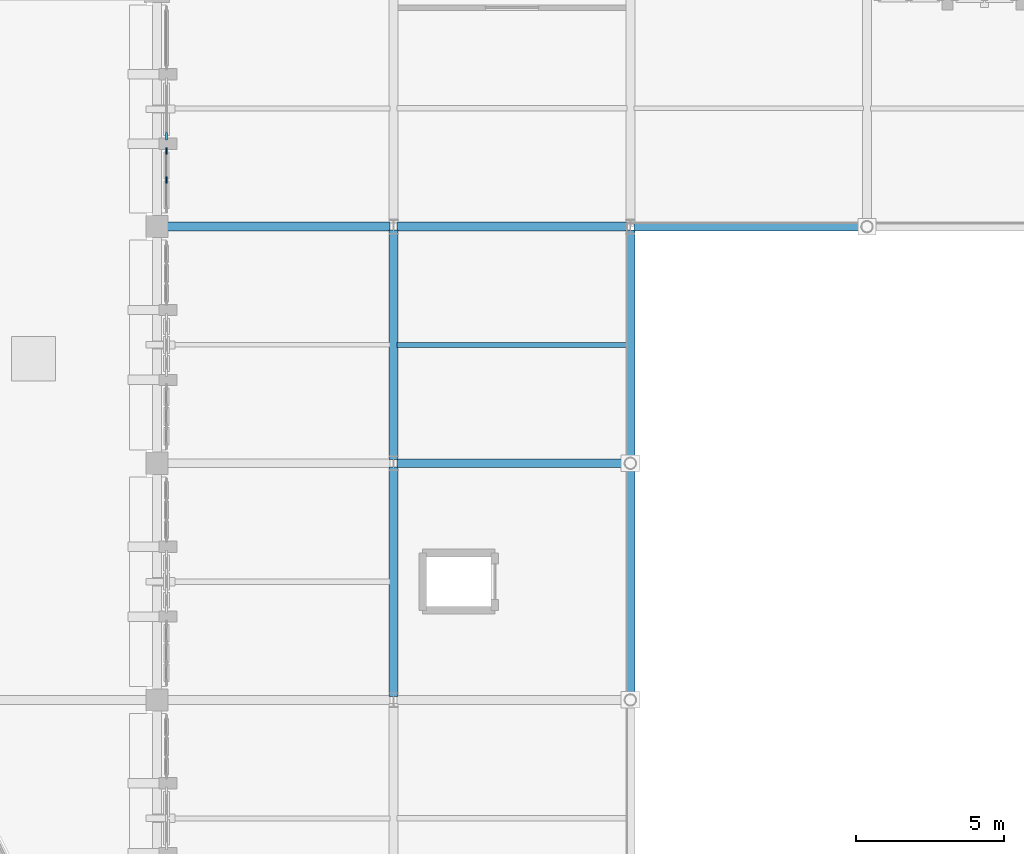
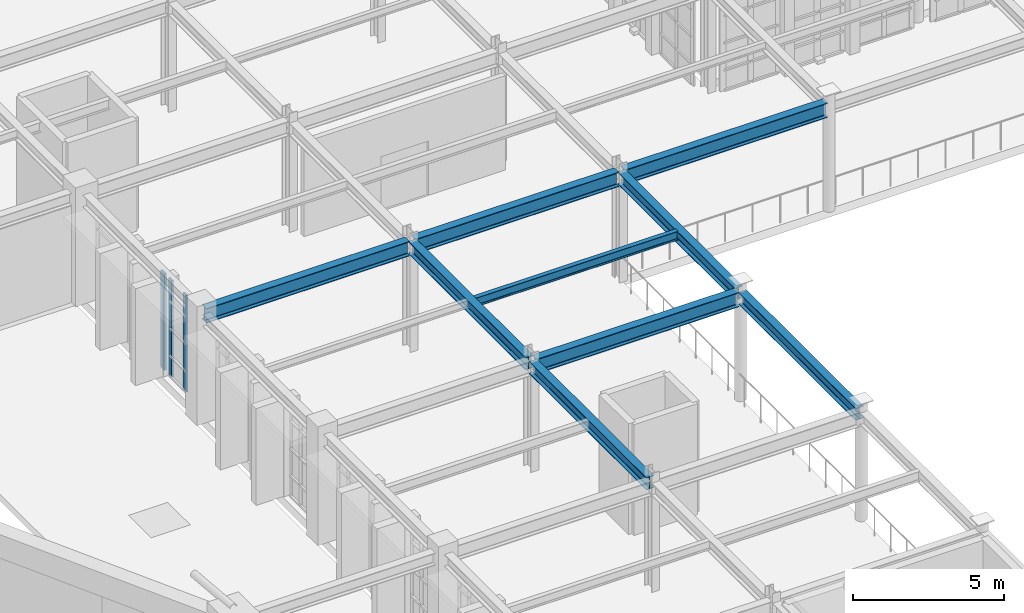
# One storey, part 40 of 155: 9 beams, 3 members, 2 elements without a shape of their own.
"""IFC4 building model written with IfcOpenShell, lengths in metres."""

from ifc_helpers import new_model, si_unit, direction, frame, origin, origin_2d, place, context, subcontext, project, spatial, rectangle, i_section, extrude, material, layer, layer_set, material_profile, profile_set, type_object, element, aggregate, save


model = new_model("IFC4")

# Units and contexts
model_context = context("Model", 3, precision=1e-05, world=origin(), true_north=direction((0.0, 1.0)))
body_context = subcontext(model_context, "Body", "Model", "MODEL_VIEW")
ifc_project = project(units=[si_unit("LENGTHUNIT", "METRE"), si_unit("AREAUNIT", "SQUARE_METRE"), si_unit("VOLUMEUNIT", "CUBIC_METRE"), si_unit("PLANEANGLEUNIT", "RADIAN"), si_unit("MASSUNIT", "GRAM", prefix="KILO")], contexts=[model_context])

# Site, building, storey
site_placement = place(None, origin())
site = spatial("IfcSite", under=ifc_project, at=site_placement, CompositionType="ELEMENT")
building_placement = place(site_placement, origin())
building = spatial("IfcBuilding", under=site, at=building_placement, Name="Tazarka Park Arena", CompositionType="ELEMENT")
storey_placement = place(building_placement, frame((0.0, 0.0, 5.39990234375)))
storey = spatial("IfcBuildingStorey", under=building, at=storey_placement, Name="L01", CompositionType="ELEMENT", Elevation=5.39990234375)

# Beams
ifc_material_1 = material(Name="Steel S355", Category="steel")
ifc_material_profile_1 = material_profile(ifc_material_1, i_section(OverallWidth=0.300048828125, OverallDepth=0.590087890625, WebThickness=0.012939453125, FlangeThickness=0.02490234375, FilletRadius=0.027099609375, at=origin_2d()), Name="Steel S355")
ifc_profile_set_1 = profile_set([ifc_material_profile_1], Name="Steel S355")
beam_type_1 = type_object("IfcBeamType", Name="BM-B-07", PredefinedType="BEAM", material=ifc_profile_set_1)
for number, where, z_axis, x_axis, name in (
    (1, (136.1201171875, 96.0, 4.125), (1.0, 0.0, 0.0), (0.0, 1.0, 0.0), "GXM-L01-17-12"),
    (2, (144.1201171875, 88.0, 4.125), (1.0, 0.0, 0.0), (0.0, 1.0, 0.0), "GXM-L01-18-11"),
    (3, (144.1201171875, 96.0, 4.125), (1.0, 0.0, 0.0), (0.0, 1.0, 0.0), "GXM-L01-18-12"),
    (4, (152.1201171875, 96.0, 4.125), (1.0, 0.0, 0.0), (0.0, 1.0, 0.0), "GXM-L01-19-12"),
):
    element("IfcBeam", number, at=place(storey_placement, frame(where, z_axis=z_axis, x_axis=x_axis)), inside=storey, type_object=beam_type_1, Name=name, PredefinedType="BEAM", context=body_context, shape_type="SweptSolid", body=[
        extrude(i_section(OverallWidth=0.300048828125, OverallDepth=0.590087890625, WebThickness=0.012939453125, FlangeThickness=0.02490234375, FilletRadius=0.027099609375, at=origin_2d()), origin(), (0.0, 0.0, 1.0), 7.759765625),
    ])
ifc_material_2 = material(Name="Steel S355", Category="steel")
ifc_material_profile_2 = material_profile(ifc_material_2, i_section(OverallWidth=0.300048828125, OverallDepth=0.5, WebThickness=0.014404296875, FlangeThickness=0.028076171875, FilletRadius=0.027099609375, at=origin_2d()), Name="Steel S355")
ifc_profile_set_2 = profile_set([ifc_material_profile_2], Name="Steel S355")
beam_type_2 = type_object("IfcBeamType", Name="BM-B-08", PredefinedType="BEAM", material=ifc_profile_set_2)
for number, where, z_axis, x_axis, name in (
    (5, (144.0, 80.1201171875, 4.170166015625), (0.0, 1.0, 0.0), (-1.0, 0.0, 0.0), "GYM-L01-18-10"),
    (6, (144.0, 88.1201171875, 4.170166015625), (0.0, 1.0, 0.0), (-1.0, 0.0, 0.0), "GYM-L01-18-11"),
):
    element("IfcBeam", number, at=place(storey_placement, frame(where, z_axis=z_axis, x_axis=x_axis)), inside=storey, type_object=beam_type_2, Name=name, PredefinedType="BEAM", context=body_context, shape_type="SweptSolid", body=[
        extrude(i_section(OverallWidth=0.300048828125, OverallDepth=0.5, WebThickness=0.014404296875, FlangeThickness=0.028076171875, FilletRadius=0.027099609375, at=origin_2d()), origin(), (0.0, 0.0, 1.0), 7.759765625),
    ])
ifc_material_3 = material(Name="Steel S355", Category="steel")
ifc_material_profile_3 = material_profile(ifc_material_3, i_section(OverallWidth=0.169921875, OverallDepth=0.360107421875, WebThickness=0.008056640625, FlangeThickness=0.0126953125, FilletRadius=0.01806640625, at=origin_2d()), Name="Steel S355")
ifc_profile_set_3 = profile_set([ifc_material_profile_3], Name="Steel S355")
beam_type_3 = type_object("IfcBeamType", Name="BM-J-02", PredefinedType="JOIST", material=ifc_profile_set_3)
beam_placement = place(storey_placement, frame((144.1201171875, 92.0, 4.239990234375), z_axis=(1.0, 0.0, 0.0), x_axis=(0.0, 1.0, 0.0)))
element("IfcBeam", 7, at=beam_placement, inside=storey, type_object=beam_type_3, Name="JST-L01-18-11", PredefinedType="JOIST", context=body_context, shape_type="SweptSolid", body=[
    extrude(i_section(OverallWidth=0.169921875, OverallDepth=0.360107421875, WebThickness=0.008056640625, FlangeThickness=0.0126953125, FilletRadius=0.01806640625, at=origin_2d()), origin(), (0.0, 0.0, 1.0), 7.759765625),
])
ifc_material_4 = material(Name="Steel S355", Category="steel")
ifc_material_profile_4 = material_profile(ifc_material_4, i_section(OverallWidth=0.300048828125, OverallDepth=0.489990234375, WebThickness=0.011962890625, FlangeThickness=0.02294921875, FilletRadius=0.027099609375, at=origin_2d()), Name="Steel S355")
ifc_profile_set_4 = profile_set([ifc_material_profile_4], Name="Steel S355")
beam_type_4 = type_object("IfcBeamType", Name="BM-SP-02", PredefinedType="SPANDREL", material=ifc_profile_set_4)
for number, where, z_axis, x_axis, name in (
    (8, (152.0, 80.1201171875, 4.175048828125), (0.0, 1.0, 0.0), (-1.0, 0.0, 0.0), "GYM-L01-19-10"),
    (9, (152.0, 88.1201171875, 4.175048828125), (0.0, 1.0, 0.0), (-1.0, 0.0, 0.0), "GYM-L01-19-11"),
):
    element("IfcBeam", number, at=place(storey_placement, frame(where, z_axis=z_axis, x_axis=x_axis)), inside=storey, type_object=beam_type_4, Name=name, PredefinedType="SPANDREL", context=body_context, shape_type="SweptSolid", body=[
        extrude(i_section(OverallWidth=0.300048828125, OverallDepth=0.489990234375, WebThickness=0.011962890625, FlangeThickness=0.02294921875, FilletRadius=0.027099609375, at=origin_2d()), origin(), (0.0, 0.0, 1.0), 7.759765625),
    ])

# Curtain wall, members
ifc_material_5 = material(Name="Aluminium and low-e glass", Category="aluminium")
ifc_layer_1 = layer(ifc_material_5, 0.179931640625, Name="Aluminium and low-e glass")
ifc_layer_set_1 = layer_set([ifc_layer_1], Name="Aluminium and low-e glass")
curtain_wall_type_1 = type_object("IfcCurtainWallType", Name="CW-28", PredefinedType="NOTDEFINED", material=ifc_layer_set_1)
curtain_wall_1_placement = place(storey_placement, origin())
curtain_wall_1 = element("IfcCurtainWall", 10, at=curtain_wall_1_placement, inside=storey, type_object=curtain_wall_type_1, Name="Curtain Wall CWA-L01-148", PredefinedType="NOTDEFINED")
ifc_material_6 = material(Name="Aluminium 6060-T66", Category="aluminium")
ifc_material_profile_5 = material_profile(ifc_material_6, rectangle(XDim=0.06494140625, YDim=0.219970703125, at=origin_2d()), Name="Aluminium 6060-T66")
ifc_profile_set_5 = profile_set([ifc_material_profile_5], Name="Aluminium 6060-T66")
member_type_1 = type_object("IfcMemberType", Name="CWM-02", PredefinedType="MULLION", material=ifc_profile_set_5)
member_1_placement = place(storey_placement, frame((136.320068359375, 97.5732421875, 0.0), z_axis=(0.0, 0.0, 1.0), x_axis=(-1.0, 0.0, 0.0)))
member_1 = element("IfcMember", 11, at=member_1_placement, type_object=member_type_1, Name="CW-28 mullion 2", PredefinedType="MULLION", context=body_context, shape_type="SweptSolid", body=[
    extrude(rectangle(XDim=0.06494140625, YDim=0.219970703125, at=origin_2d()), origin(), (0.0, 0.0, 1.0), 3.91015625),
])
member_2_placement = place(storey_placement, frame((136.320068359375, 98.55908203125, 0.0), z_axis=(0.0, 0.0, 1.0), x_axis=(-1.0, 0.0, 0.0)))
member_2 = element("IfcMember", 12, at=member_2_placement, type_object=member_type_1, Name="CW-28 mullion 3", PredefinedType="MULLION", context=body_context, shape_type="SweptSolid", body=[
    extrude(rectangle(XDim=0.06494140625, YDim=0.219970703125, at=origin_2d()), origin(), (0.0, 0.0, 1.0), 3.91015625),
])
aggregate(curtain_wall_1, [member_1, member_2])

# Curtain wall, member
ifc_material_7 = material(Name="Aluminium and low-e glass", Category="aluminium")
ifc_layer_2 = layer(ifc_material_7, 0.179931640625, Name="Aluminium and low-e glass")
ifc_layer_set_2 = layer_set([ifc_layer_2], Name="Aluminium and low-e glass")
curtain_wall_type_2 = type_object("IfcCurtainWallType", Name="CW-29", PredefinedType="NOTDEFINED", material=ifc_layer_set_2)
curtain_wall_2_placement = place(storey_placement, origin())
curtain_wall_2 = element("IfcCurtainWall", 13, at=curtain_wall_2_placement, inside=storey, type_object=curtain_wall_type_2, Name="Curtain Wall CWA-L01-149", PredefinedType="NOTDEFINED")
ifc_material_8 = material(Name="Aluminium 6060-T66", Category="aluminium")
ifc_material_profile_6 = material_profile(ifc_material_8, rectangle(XDim=0.074951171875, YDim=0.25, at=origin_2d()), Name="Aluminium 6060-T66")
ifc_profile_set_6 = profile_set([ifc_material_profile_6], Name="Aluminium 6060-T66")
member_type_2 = type_object("IfcMemberType", Name="CWM-03", PredefinedType="MULLION", material=ifc_profile_set_6)
member_3_placement = place(storey_placement, frame((136.320068359375, 99.04931640625, 0.0), z_axis=(0.0, 0.0, 1.0), x_axis=(-1.0, 0.0, 0.0)))
member_3 = element("IfcMember", 14, at=member_3_placement, type_object=member_type_2, Name="CW-29 mullion 1", PredefinedType="MULLION", context=body_context, shape_type="SweptSolid", body=[
    extrude(rectangle(XDim=0.074951171875, YDim=0.25, at=origin_2d()), origin(), (0.0, 0.0, 1.0), 3.91015625),
])
aggregate(curtain_wall_2, [member_3])

save(model, "model.ifc")
